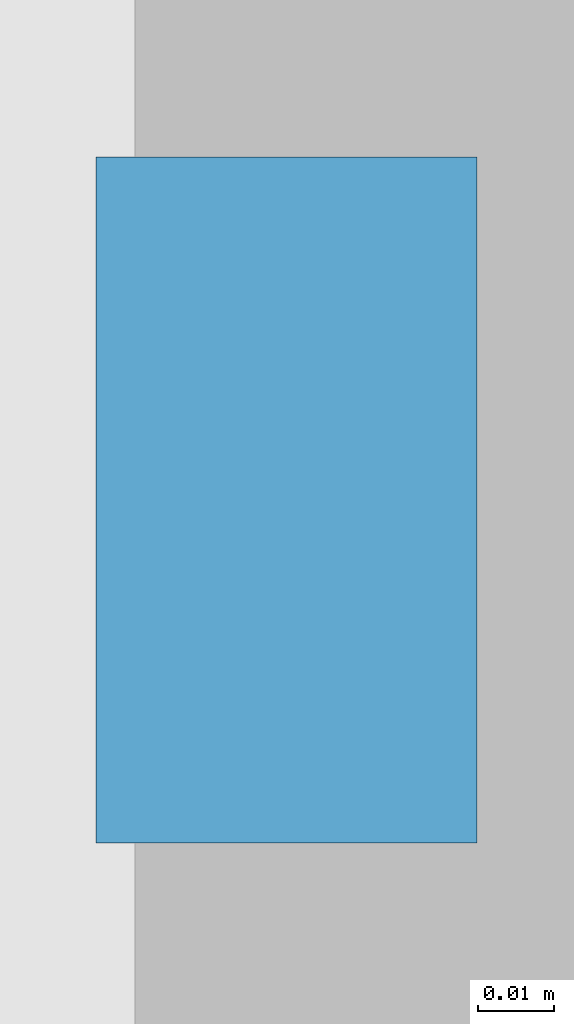
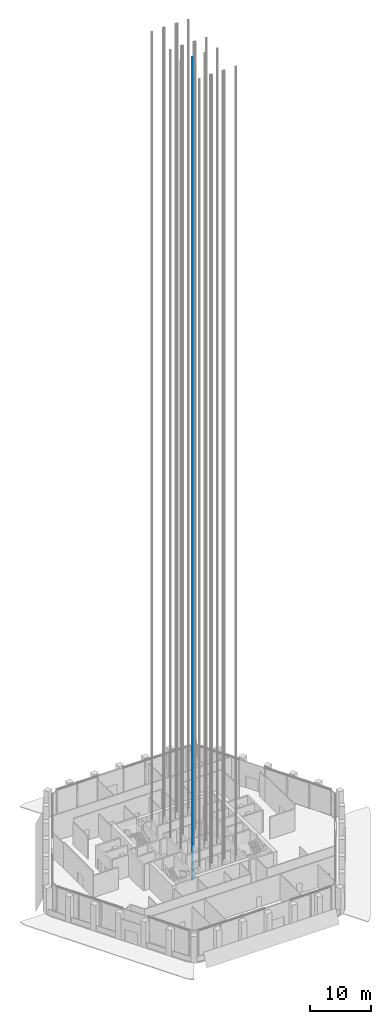
# One storey, part 22 of 42: 1 discrete accessory.
"""IFC4 building model written with IfcOpenShell, lengths in metres."""

from ifc_helpers import new_model, si_unit, direction, frame, origin, origin_2d, place, context, subcontext, project, spatial, rectangle, extrude, element, save


model = new_model("IFC4")

# Units and contexts
model_context = context("Model", 3, precision=1e-05, world=origin(), true_north=direction((0.0, 1.0)))
body_context = subcontext(model_context, "Body", "Model", "MODEL_VIEW")
ifc_project = project(units=[si_unit("LENGTHUNIT", "METRE"), si_unit("AREAUNIT", "SQUARE_METRE"), si_unit("VOLUMEUNIT", "CUBIC_METRE"), si_unit("PLANEANGLEUNIT", "RADIAN"), si_unit("MASSUNIT", "GRAM", prefix="KILO")], contexts=[model_context])

# Site, building, storey
site_placement = place(None, origin())
site = spatial("IfcSite", under=ifc_project, at=site_placement, CompositionType="ELEMENT")
building_placement = place(site_placement, origin())
building = spatial("IfcBuilding", under=site, at=building_placement, Name="Kolab Exchange Tower", CompositionType="ELEMENT")
storey_placement = place(building_placement, frame((0.0, 0.0, 133.39990234375)))
storey = spatial("IfcBuildingStorey", under=building, at=storey_placement, Name="L26", CompositionType="ELEMENT", Elevation=133.39990234375)

# Discrete accessory
discrete_accessory_placement = place(storey_placement, frame((-1.330078125, -1.800048828125, -1.599853515625), z_axis=(0.0, 0.0, 1.0), x_axis=(1.0, 0.0, 0.0)))
element("IfcDiscreteAccessory", 1, at=discrete_accessory_placement, inside=storey, Name="Guide rail HR7-2", ObjectType="GUIDE RAIL", PredefinedType="USERDEFINED", context=body_context, shape_type="SweptSolid", body=[
    extrude(rectangle(XDim=0.050048828125, YDim=0.090087890625, at=origin_2d()), origin(), (0.0, 0.0, 1.0), 165.60009765625),
])

save(model, "model.ifc")
